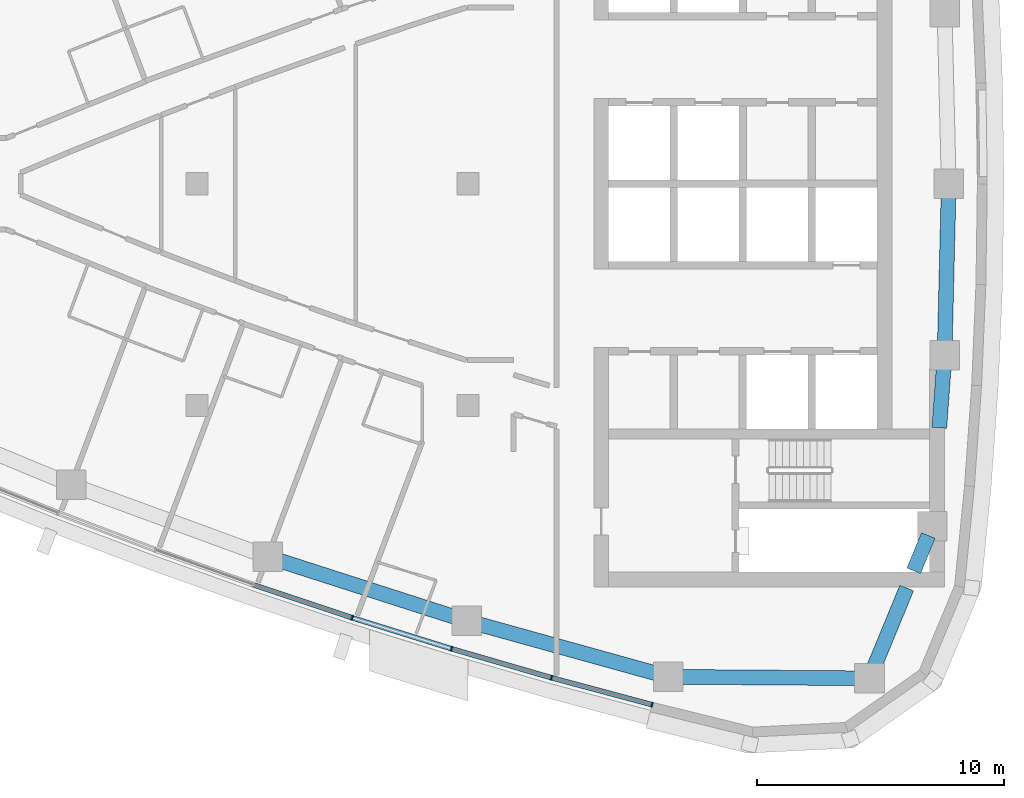
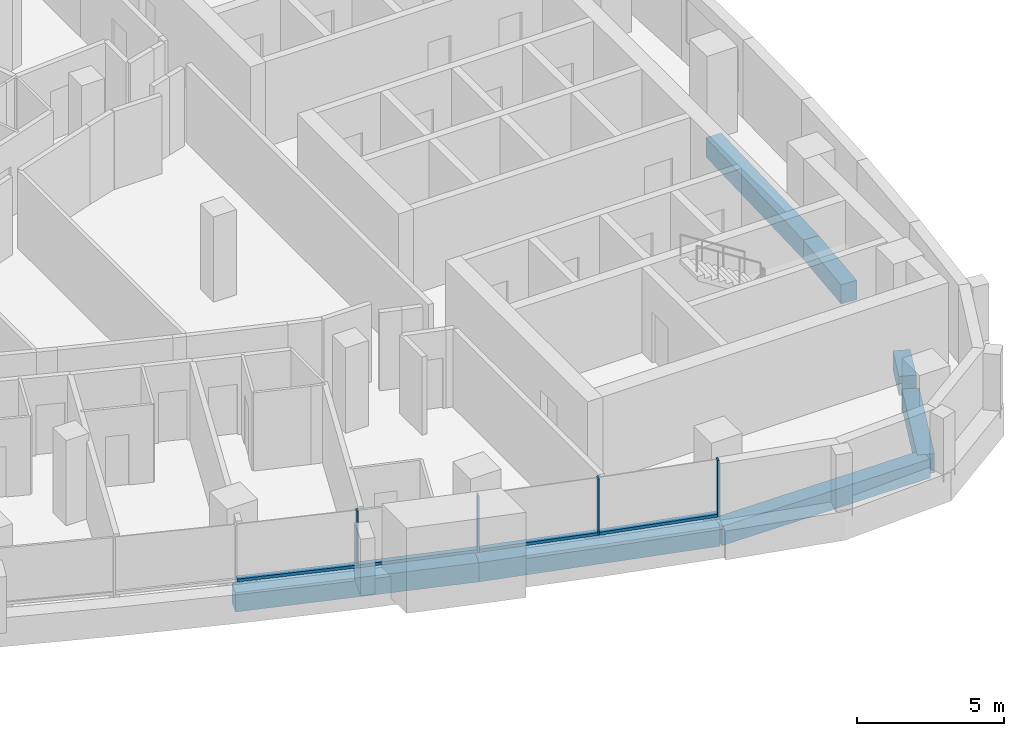
# One storey, part 4 of 16: 8 members, 7 beams, 2 elements without a shape of their own.
"""IFC4 building model written with IfcOpenShell, lengths in metres."""

import ifcopenshell
import ifcopenshell.guid

model = None  # the IFC model being written
_history = None  # IfcOwnerHistory: only IFC2X3 demands one
_inside = {}  # id of a spatial element -> (the spatial element, [elements in it])
_under = {}  # id of a project, library or spatial element -> (it, [spatial elements below it])
_declared = {}  # id of a project -> (the project, [libraries it declares])
_typed = {}  # id of a type object -> (the type object, [elements of that type])
_made_of = {}  # id of a material, layer set ... -> (it, [elements and type objects made of it])


def new_model(schema):
    """Start an empty IFC model of exactly this schema.

    Asked for "IFC4X3", IfcOpenShell would pick the latest addendum, in which some entities
    have other attributes; the version numbers below select the first issue.
    IFC2X3 requires an IfcOwnerHistory on every rooted entity: one is made here for all.
    """
    global model, _history
    if schema == "IFC4X3":
        model = ifcopenshell.file(schema_version=(4, 3, 0, 0))
    else:
        model = ifcopenshell.file(schema=schema)
    _inside.clear()
    _under.clear()
    _declared.clear()
    _typed.clear()
    _made_of.clear()
    _history = None
    if model.schema == "IFC2X3":
        org = make("IfcOrganization", Name="unknown")
        user = make(
            "IfcPersonAndOrganization",
            ThePerson=make("IfcPerson", FamilyName="unknown"),
            TheOrganization=org,
        )
        app = make(
            "IfcApplication",
            ApplicationDeveloper=org,
            Version="unknown",
            ApplicationFullName="unknown",
            ApplicationIdentifier="unknown",
        )
        _history = make(
            "IfcOwnerHistory",
            OwningUser=user,
            OwningApplication=app,
            ChangeAction="ADDED",
            CreationDate=0,
        )
    return model


def make(cls, **values):
    """One entity of the class cls with the attributes given. An attribute that is None is left unset."""
    return model.create_entity(
        cls, **{name: value for name, value in values.items() if value is not None}
    )


def rooted(cls, **values):
    """An entity with a GlobalId (a new one), such as an element, a storey or a relation."""
    return make(cls, GlobalId=ifcopenshell.guid.new(), OwnerHistory=_history, **values)


def si_unit(unit_type, name, prefix=None):
    """IfcSIUnit, for example si_unit("LENGTHUNIT", "METRE", prefix="MILLI")."""
    return make("IfcSIUnit", UnitType=unit_type, Prefix=prefix, Name=name)


def assignment(units):
    """IfcUnitAssignment: the units of a project."""
    return None if units is None else make("IfcUnitAssignment", Units=units)


def point(xyz):
    """IfcCartesianPoint."""
    return None if xyz is None else make("IfcCartesianPoint", Coordinates=xyz)


def direction(xyz):
    """IfcDirection."""
    return None if xyz is None else make("IfcDirection", DirectionRatios=xyz)


def frame(location, z_axis=None, x_axis=None):
    """IfcAxis2Placement3D, a coordinate frame: its origin and axes. An axis left out is left unset."""
    return make(
        "IfcAxis2Placement3D",
        Location=point(location),
        Axis=direction(z_axis),
        RefDirection=direction(x_axis),
    )


def frame_2d(location, x_axis=None):
    """IfcAxis2Placement2D, a coordinate frame in the plane: its origin and x axis."""
    return make(
        "IfcAxis2Placement2D", Location=point(location), RefDirection=direction(x_axis)
    )


def origin():
    """The frame at (0, 0, 0) with its axes left unset."""
    return frame((0.0, 0.0, 0.0))


def origin_2d():
    """The frame at (0, 0) in the plane with its x axis left unset."""
    return frame_2d((0.0, 0.0))


def place(relative_to, where):
    """IfcLocalPlacement: puts the frame where relative to a parent placement (None: the world)."""
    return make(
        "IfcLocalPlacement", PlacementRelTo=relative_to, RelativePlacement=where
    )


def context(
    kind, dimensions, precision=None, world=None, true_north=None, identifier=None
):
    """IfcGeometricRepresentationContext, for example the 3D "Model" context."""
    return make(
        "IfcGeometricRepresentationContext",
        ContextIdentifier=identifier,
        ContextType=kind,
        CoordinateSpaceDimension=dimensions,
        Precision=precision,
        WorldCoordinateSystem=world,
        TrueNorth=true_north,
    )


def subcontext(parent, identifier, kind, view, scale=None):
    """IfcGeometricRepresentationSubContext, for example "Body" below "Model"."""
    return make(
        "IfcGeometricRepresentationSubContext",
        ContextIdentifier=identifier,
        ContextType=kind,
        ParentContext=parent,
        TargetScale=scale,
        TargetView=view,
    )


def project(units=None, contexts=None):
    """IfcProject with its units and contexts."""
    return rooted(
        "IfcProject",
        Name="project",
        RepresentationContexts=contexts,
        UnitsInContext=assignment(units),
    )


def spatial(cls, under=None, at=None, **own):
    """A site, building, storey or space (cls), placed at a placement, below another one or the project."""
    s = rooted(cls, ObjectPlacement=at, **own)
    if under is not None:
        _under.setdefault(under.id(), (under, []))[1].append(s)
    return s


def profile(cls, at=None, kind="AREA", **sizes):
    """A parametric profile (cls). Its sizes go by their IFC names, for example OverallWidth=200.0."""
    return make(cls, ProfileType=kind, Position=at, **sizes)


def rectangle(**sizes):
    """IfcRectangleProfileDef."""
    return profile("IfcRectangleProfileDef", **sizes)


def extrude(swept, where, along, depth):
    """IfcExtrudedAreaSolid: the profile swept, set in the frame where, extruded along a direction by depth."""
    return make(
        "IfcExtrudedAreaSolid",
        SweptArea=swept,
        Position=where,
        ExtrudedDirection=direction(along),
        Depth=depth,
    )


def shape(context_of_items, identifier, shape_type, items):
    """IfcShapeRepresentation: the items that make up one representation, for example the "Body"."""
    return make(
        "IfcShapeRepresentation",
        ContextOfItems=context_of_items,
        RepresentationIdentifier=identifier,
        RepresentationType=shape_type,
        Items=items,
    )


def material(Name=None, Category=None):
    """IfcMaterial."""
    return make("IfcMaterial", Name=Name, Category=Category)


def layer(
    of_material, thickness, ventilated=None, Name=None, Category=None, Priority=None
):
    """IfcMaterialLayer: one layer of a wall or slab, of a material (None: an air gap)."""
    return make(
        "IfcMaterialLayer",
        Material=of_material,
        LayerThickness=thickness,
        IsVentilated=ventilated,
        Name=Name,
        Category=Category,
        Priority=Priority,
    )


def layer_set(layers, Name=None):
    """IfcMaterialLayerSet."""
    return make("IfcMaterialLayerSet", MaterialLayers=layers, LayerSetName=Name)


def material_profile(
    of_material, cross_section, Name=None, Category=None, Priority=None
):
    """IfcMaterialProfile: a cross section and its material."""
    return make(
        "IfcMaterialProfile",
        Name=Name,
        Material=of_material,
        Profile=cross_section,
        Priority=Priority,
        Category=Category,
    )


def profile_set(profiles, Name=None, composite=None):
    """IfcMaterialProfileSet."""
    return make(
        "IfcMaterialProfileSet",
        Name=Name,
        MaterialProfiles=profiles,
        CompositeProfile=composite,
    )


def made_of(thing, what):
    """Note that an element or type object is made of a material, layer set ...; save() writes the relation."""
    if what is not None:
        _made_of.setdefault(what.id(), (what, []))[1].append(thing)
    return thing


def type_object(cls, material=None, **own):
    """A type object (cls), such as IfcWallType, which elements share."""
    return made_of(rooted(cls, **own), material)


def element(
    cls,
    number,
    at=None,
    inside=None,
    cuts=None,
    type_object=None,
    material=None,
    context=None,
    identifier="Body",
    shape_type=None,
    held_by="IfcProductDefinitionShape",
    body=None,
    shapes=None,
    **own,
):
    """One element of the class cls, such as IfcWall. Its Tag is "e" and its number.

    at: its placement. inside: the storey or other place that contains it. cuts: it is an
    opening in that element (IfcRelVoidsElement). A single representation is given by context,
    identifier, shape_type and body (its items); several are given by shapes. held_by: the class
    of the entity that holds the representations. save() writes the other relations.
    """
    e = rooted(cls, Tag="e%d" % number, ObjectPlacement=at, **own)
    if body is not None:
        shapes = [shape(context, identifier, shape_type, body)]
    if shapes is not None:
        e.Representation = make(held_by, Representations=shapes)
    if inside is not None:
        _inside.setdefault(inside.id(), (inside, []))[1].append(e)
    if cuts is not None:
        rooted(
            "IfcRelVoidsElement", RelatingBuildingElement=cuts, RelatedOpeningElement=e
        )
    if type_object is not None:
        _typed.setdefault(type_object.id(), (type_object, []))[1].append(e)
    return made_of(e, material)


def aggregate(whole, parts):
    """IfcRelAggregates: a whole, such as a stair, and the parts it consists of."""
    return rooted("IfcRelAggregates", RelatingObject=whole, RelatedObjects=parts)


def save(model, path):
    """Write the relations noted so far, then the file.

    IfcRelAggregates (storeys below a building ...), IfcRelContainedInSpatialStructure (elements
    in a storey), IfcRelDefinesByType, IfcRelAssociatesMaterial and IfcRelDeclares: one each for
    every whole, place, type object, material and project.
    """
    for whole, parts in _under.values():
        aggregate(whole, parts)
    for where, things in _inside.values():
        rooted(
            "IfcRelContainedInSpatialStructure",
            RelatedElements=things,
            RelatingStructure=where,
        )
    for kind, things in _typed.values():
        rooted("IfcRelDefinesByType", RelatedObjects=things, RelatingType=kind)
    for what, things in _made_of.values():
        rooted("IfcRelAssociatesMaterial", RelatedObjects=things, RelatingMaterial=what)
    for by, libraries in _declared.values():
        rooted("IfcRelDeclares", RelatingContext=by, RelatedDefinitions=libraries)
    model.write(path)


model = new_model("IFC4")

# Units and contexts
model_context = context("Model", 3, precision=1e-05, world=origin(), true_north=direction((0.0, 1.0)))
body_context = subcontext(model_context, "Body", "Model", "MODEL_VIEW")
ifc_project = project(units=[si_unit("LENGTHUNIT", "METRE"), si_unit("AREAUNIT", "SQUARE_METRE"), si_unit("VOLUMEUNIT", "CUBIC_METRE"), si_unit("PLANEANGLEUNIT", "RADIAN"), si_unit("MASSUNIT", "GRAM", prefix="KILO")], contexts=[model_context])

# Site, building, storey
site_placement = place(None, origin())
site = spatial("IfcSite", under=ifc_project, at=site_placement, CompositionType="ELEMENT")
building_placement = place(site_placement, origin())
building = spatial("IfcBuilding", under=site, at=building_placement, Name="Ostrand Prow Hotel Tower", CompositionType="ELEMENT")
storey_placement = place(building_placement, frame((0.0, 0.0, 224.35009765625)))
storey = spatial("IfcBuildingStorey", under=building, at=storey_placement, Name="L56", CompositionType="ELEMENT", Elevation=224.35009765625)

# Beams
ifc_material_1 = material(Name="Concrete C50/60", Category="concrete")
ifc_material_profile_1 = material_profile(ifc_material_1, rectangle(XDim=0.60009765625, YDim=0.800048828125, at=origin_2d()), Name="RC 600x800")
ifc_profile_set_1 = profile_set([ifc_material_profile_1], Name="Concrete C50/60")
beam_type = type_object("IfcBeamType", Name="Edge beam 600x800 C50/60", PredefinedType="SPANDREL", material=ifc_profile_set_1)
for number, where, z_axis, x_axis, name in (
    (1, (36.8671875, -15.131591796875, -0.7001953125), (0.95193933362, -0.306286638798, 0.0), (0.306286638798, 0.95193933362, 0.0), "Edge beam S4-S5"),
    (2, (44.94677734375, -17.731201171875, -0.7001953125), (0.963625802813, -0.267255144297, 0.0), (0.267255144297, 0.963625802813, 0.0), "Edge beam S5-S6"),
):
    element("IfcBeam", number, at=place(storey_placement, frame(where, z_axis=z_axis, x_axis=x_axis)), inside=storey, type_object=beam_type, Name=name, PredefinedType="SPANDREL", context=body_context, shape_type="SweptSolid", body=[
        extrude(rectangle(XDim=0.60009765625, YDim=0.800048828125, at=origin_2d()), origin(), (0.0, 0.0, 1.0), 8.487548828125),
    ])
beam_1_placement = place(storey_placement, frame((53.12548828125, -19.99951171875, -0.7001953125), z_axis=(0.999970657582, -0.007660546678, 0.0), x_axis=(0.007660546678, 0.999970657582, 0.0)))
element("IfcBeam", 3, at=beam_1_placement, inside=storey, type_object=beam_type, Name="Edge beam S6-SE", PredefinedType="SPANDREL", context=body_context, shape_type="SweptSolid", body=[
    extrude(rectangle(XDim=0.60009765625, YDim=0.800048828125, at=origin_2d()), origin(), (0.0, 0.0, 1.0), 8.15869140625),
])
beam_2_placement = place(storey_placement, frame((61.283935546875, -20.06201171875, -0.7001953125), z_axis=(0.380777709221, 0.924666608114, 0.0), x_axis=(-0.924666608114, 0.380777709221, 0.0)))
element("IfcBeam", 4, at=beam_2_placement, inside=storey, type_object=beam_type, Name="Edge beam SE-B1", PredefinedType="SPANDREL", context=body_context, shape_type="SweptSolid", body=[
    extrude(rectangle(XDim=0.60009765625, YDim=0.800048828125, at=origin_2d()), origin(), (0.0, 0.0, 1.0), 3.96044921875),
])
beam_3_placement = place(storey_placement, frame((63.080078125, -15.699951171875, -0.7001953125), z_axis=(0.380773585759, 0.924668306145, 0.0), x_axis=(-0.924668306145, 0.380773585759, 0.0)))
element("IfcBeam", 5, at=beam_3_placement, inside=storey, type_object=beam_type, Name="Edge beam SE-B1", PredefinedType="SPANDREL", context=body_context, shape_type="SweptSolid", body=[
    extrude(rectangle(XDim=0.60009765625, YDim=0.800048828125, at=origin_2d()), origin(), (0.0, 0.0, 1.0), 1.549072265625),
])
beam_4_placement = place(storey_placement, frame((64.11669921875, -9.89990234375, -0.7001953125), z_axis=(0.072691068771, 0.997354504938, 0.0), x_axis=(-0.997354504938, 0.072691068771, 0.0)))
element("IfcBeam", 6, at=beam_4_placement, inside=storey, type_object=beam_type, Name="Edge beam B1-B2", PredefinedType="SPANDREL", context=body_context, shape_type="SweptSolid", body=[
    extrude(rectangle(XDim=0.60009765625, YDim=0.800048828125, at=origin_2d()), origin(), (0.0, 0.0, 1.0), 2.95556640625),
])
beam_5_placement = place(storey_placement, frame((64.33154296875, -6.9521484375, -0.7001953125), z_axis=(0.024223820991, 0.999706560195, 0.0), x_axis=(-0.999706560195, 0.024223820991, 0.0)))
element("IfcBeam", 7, at=beam_5_placement, inside=storey, type_object=beam_type, Name="Edge beam B2-B3", PredefinedType="SPANDREL", context=body_context, shape_type="SweptSolid", body=[
    extrude(rectangle(XDim=0.60009765625, YDim=0.800048828125, at=origin_2d()), origin(), (0.0, 0.0, 1.0), 6.9541015625),
])

# Curtain wall, members
ifc_material_2 = material(Name="Insulated glass in bronze anodised frame", Category="glass")
ifc_layer = layer(ifc_material_2, 0.199951171875)
ifc_layer_set = layer_set([ifc_layer], Name="Insulated glass in bronze anodised frame")
curtain_wall_type = type_object("IfcCurtainWallType", Name="Strip curtain wall, fritted glass over bronze spandrel", PredefinedType="NOTDEFINED", material=ifc_layer_set)
curtain_wall_1_placement = place(storey_placement, origin())
curtain_wall_1 = element("IfcCurtainWall", 8, at=curtain_wall_1_placement, inside=storey, type_object=curtain_wall_type, Name="CW1 run CWS4", PredefinedType="NOTDEFINED")
ifc_material_3 = material(Name="Bronze anodised aluminium", Category="aluminium")
ifc_material_profile_2 = material_profile(ifc_material_3, rectangle(XDim=0.199951171875, YDim=0.06005859375, at=origin_2d()), Name="Mullion 60x200 bronze anodised aluminium")
ifc_profile_set_2 = profile_set([ifc_material_profile_2], Name="Bronze anodised aluminium")
member_type_1 = type_object("IfcMemberType", Name="Mullion 60x200 bronze anodised aluminium", PredefinedType="MULLION", material=ifc_profile_set_2)
member_1_placement = place(storey_placement, frame((40.297119140625, -17.605712890625, 0.89990234375), z_axis=(0.0, 0.0, 1.0), x_axis=(0.297678138765, 0.95466629023, 0.0)))
member_1 = element("IfcMember", 9, at=member_1_placement, type_object=member_type_1, Name="CW1 mullion 2", PredefinedType="MULLION", context=body_context, shape_type="SweptSolid", body=[
    extrude(rectangle(XDim=0.199951171875, YDim=0.06005859375, at=origin_2d()), origin(), (0.0, 0.0, 1.0), 2.35009765625),
])
member_2_placement = place(storey_placement, frame((44.3291015625, -18.863037109375, 0.89990234375), z_axis=(0.0, 0.0, 1.0), x_axis=(0.297678138765, 0.95466629023, 0.0)))
member_2 = element("IfcMember", 10, at=member_2_placement, type_object=member_type_1, Name="CW1 mullion 3", PredefinedType="MULLION", context=body_context, shape_type="SweptSolid", body=[
    extrude(rectangle(XDim=0.199951171875, YDim=0.06005859375, at=origin_2d()), origin(), (0.0, 0.0, 1.0), 2.35009765625),
])

curtain_wall_2_placement = place(storey_placement, origin())
curtain_wall_2 = element("IfcCurtainWall", 11, at=curtain_wall_2_placement, inside=storey, type_object=curtain_wall_type, Name="CW1 run CWS5", PredefinedType="NOTDEFINED")
member_3_placement = place(storey_placement, frame((48.385986328125, -20.038818359375, 0.89990234375), z_axis=(0.0, 0.0, 1.0), x_axis=(0.258994370132, 0.965878831034, 0.0)))
member_3 = element("IfcMember", 12, at=member_3_placement, type_object=member_type_1, Name="CW1 mullion 2", PredefinedType="MULLION", context=body_context, shape_type="SweptSolid", body=[
    extrude(rectangle(XDim=0.199951171875, YDim=0.06005859375, at=origin_2d()), origin(), (0.0, 0.0, 1.0), 2.35009765625),
])
member_4_placement = place(storey_placement, frame((52.465576171875, -21.1328125, 0.89990234375), z_axis=(0.0, 0.0, 1.0), x_axis=(0.258994370132, 0.965878831034, 0.0)))
member_4 = element("IfcMember", 13, at=member_4_placement, type_object=member_type_1, Name="CW1 mullion 3", PredefinedType="MULLION", context=body_context, shape_type="SweptSolid", body=[
    extrude(rectangle(XDim=0.199951171875, YDim=0.06005859375, at=origin_2d()), origin(), (0.0, 0.0, 1.0), 2.35009765625),
])

# Member
ifc_material_4 = material(Name="Bronze anodised aluminium", Category="aluminium")
ifc_material_profile_3 = material_profile(ifc_material_4, rectangle(XDim=0.199951171875, YDim=0.1201171875, at=origin_2d()), Name="Transom 120x200 bronze anodised aluminium")
ifc_profile_set_3 = profile_set([ifc_material_profile_3], Name="Bronze anodised aluminium")
member_type_2 = type_object("IfcMemberType", Name="Transom 120x200 bronze anodised aluminium", PredefinedType="USERDEFINED", material=ifc_profile_set_3)
member_5_placement = place(storey_placement, frame((36.3193359375, -16.277099609375, 0.9599609375), z_axis=(0.948489622939, -0.316808199353, 0.0), x_axis=(0.316808199353, 0.948489622939, 0.0)))
member_5 = element("IfcMember", 14, at=member_5_placement, type_object=member_type_2, Name="CW1 transom 1.1", ObjectType="TRANSOM", PredefinedType="USERDEFINED", context=body_context, shape_type="SweptSolid", body=[
    extrude(rectangle(XDim=0.199951171875, YDim=0.1201171875, at=origin_2d()), origin(), (0.0, 0.0, 1.0), 4.16357421875),
])

member_6_placement = place(storey_placement, frame((40.32568359375, -17.61474609375, 0.9599609375), z_axis=(0.954676966691, -0.297643896746, 0.0), x_axis=(0.297643896746, 0.954676966691, 0.0)))
member_6 = element("IfcMember", 15, at=member_6_placement, type_object=member_type_2, Name="CW1 transom 2.1", ObjectType="TRANSOM", PredefinedType="USERDEFINED", context=body_context, shape_type="SweptSolid", body=[
    extrude(rectangle(XDim=0.199951171875, YDim=0.1201171875, at=origin_2d()), origin(), (0.0, 0.0, 1.0), 4.16357421875),
])

aggregate(curtain_wall_1, [member_1, member_2, member_5, member_6])

member_7_placement = place(storey_placement, frame((44.35791015625, -18.871337890625, 0.9599609375), z_axis=(0.960468183791, -0.278389776976, 0.0), x_axis=(0.278389776976, 0.960468183791, 0.0)))
member_7 = element("IfcMember", 16, at=member_7_placement, type_object=member_type_2, Name="CW1 transom 1.1", ObjectType="TRANSOM", PredefinedType="USERDEFINED", context=body_context, shape_type="SweptSolid", body=[
    extrude(rectangle(XDim=0.199951171875, YDim=0.1201171875, at=origin_2d()), origin(), (0.0, 0.0, 1.0), 4.163818359375),
])

member_8_placement = place(storey_placement, frame((48.4150390625, -20.046630859375, 0.9599609375), z_axis=(0.96587683346, -0.259001819657, 0.0), x_axis=(0.259001819657, 0.96587683346, 0.0)))
member_8 = element("IfcMember", 17, at=member_8_placement, type_object=member_type_2, Name="CW1 transom 2.1", ObjectType="TRANSOM", PredefinedType="USERDEFINED", context=body_context, shape_type="SweptSolid", body=[
    extrude(rectangle(XDim=0.199951171875, YDim=0.1201171875, at=origin_2d()), origin(), (0.0, 0.0, 1.0), 4.16357421875),
])

aggregate(curtain_wall_2, [member_3, member_4, member_7, member_8])

save(model, "model.ifc")
